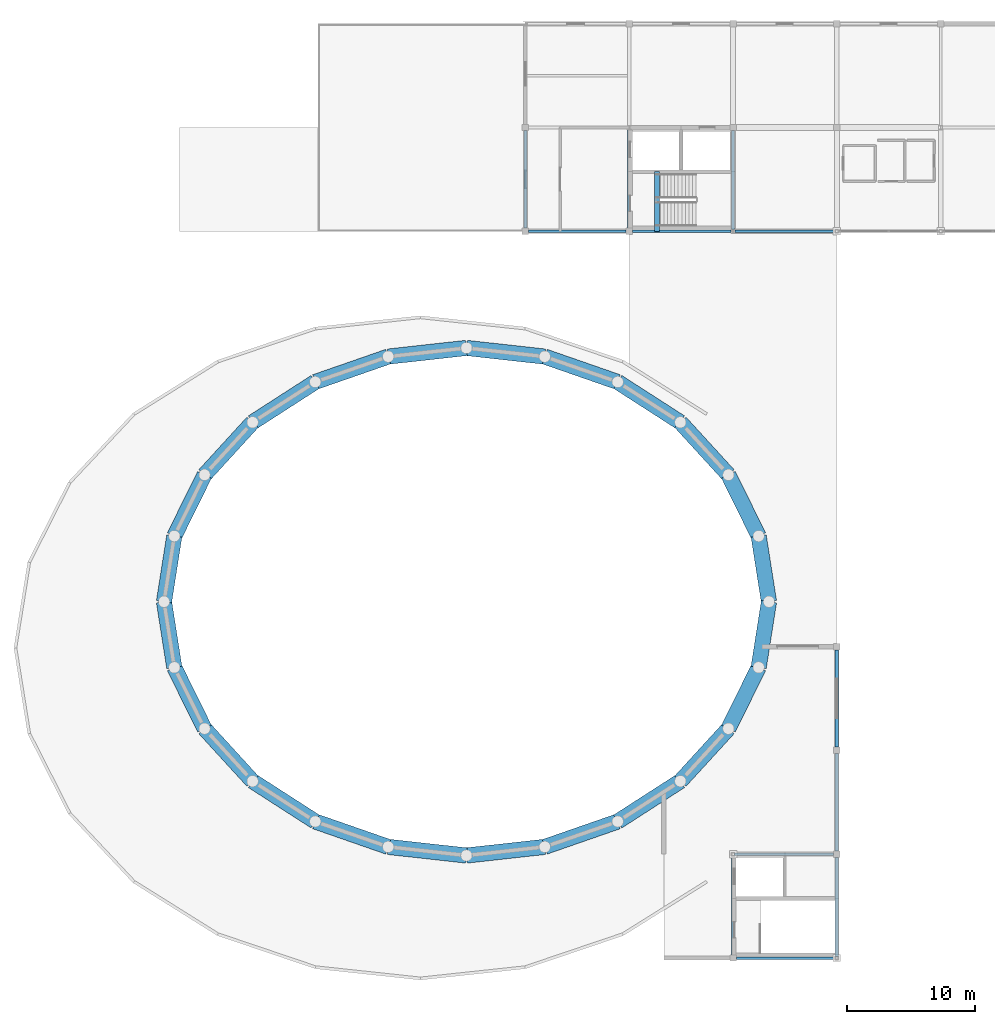
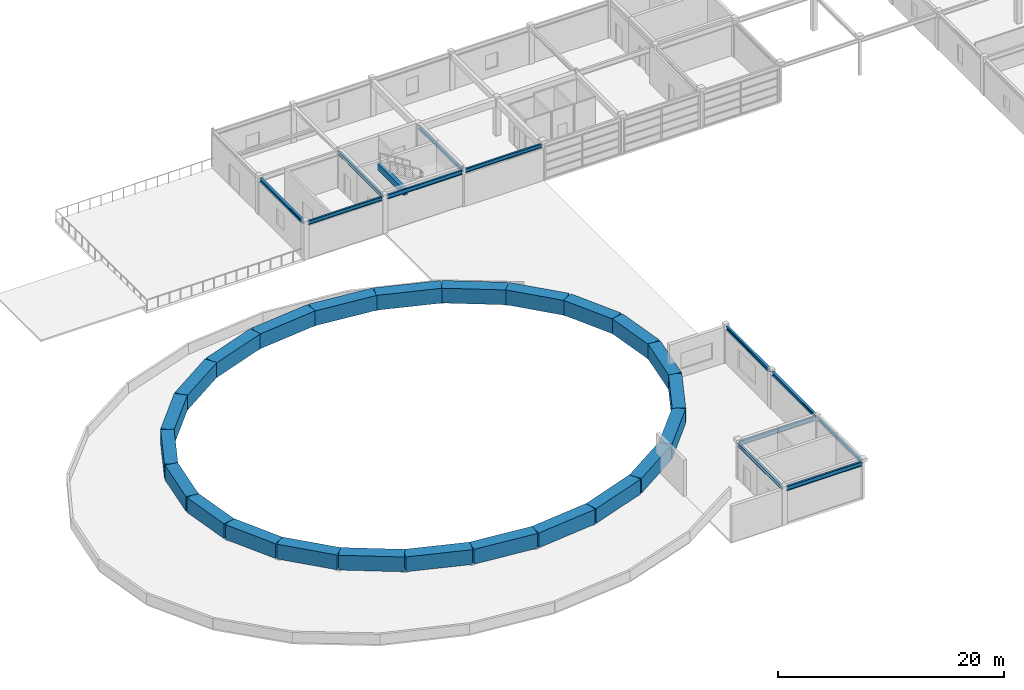
# One storey, part 10 of 26: 37 beams.
"""IFC4 building model written with IfcOpenShell, lengths in metres."""

from ifc_helpers import new_model, si_unit, direction, frame, origin, origin_2d, place, context, subcontext, project, spatial, rectangle, i_section, extrude, material, material_profile, profile_set, type_object, element, save


model = new_model("IFC4")

# Units and contexts
model_context = context("Model", 3, precision=1e-05, world=origin(), true_north=direction((0.0, 1.0)))
body_context = subcontext(model_context, "Body", "Model", "MODEL_VIEW")
ifc_project = project(units=[si_unit("LENGTHUNIT", "METRE"), si_unit("AREAUNIT", "SQUARE_METRE"), si_unit("VOLUMEUNIT", "CUBIC_METRE"), si_unit("PLANEANGLEUNIT", "RADIAN"), si_unit("MASSUNIT", "GRAM", prefix="KILO")], contexts=[model_context])

# Site, building, storey
site_placement = place(None, origin())
site = spatial("IfcSite", under=ifc_project, at=site_placement, CompositionType="ELEMENT")
building_placement = place(site_placement, origin())
building = spatial("IfcBuilding", under=site, at=building_placement, Name="Parian Resonance Hall", CompositionType="ELEMENT")
storey_placement = place(building_placement, frame((0.0, 0.0, 19.199951171875)))
storey = spatial("IfcBuildingStorey", under=building, at=storey_placement, Name="L04", CompositionType="ELEMENT", Elevation=19.199951171875)

# Beams
ifc_material_1 = material(Name="Concrete C40/50", Category="concrete")
ifc_material_profile_1 = material_profile(ifc_material_1, rectangle(XDim=0.39990234375, YDim=0.699951171875, at=origin_2d()), Name="RC-BM-400x700")
ifc_profile_set_1 = profile_set([ifc_material_profile_1], Name="Concrete C40/50")
beam_type_1 = type_object("IfcBeamType", Name="BM-RC400x700", PredefinedType="BEAM", material=ifc_profile_set_1)
beam_1_placement = place(storey_placement, frame((58.860107421875, 72.89990234375, 3.610107421875), z_axis=(0.0, 1.0, 0.0), x_axis=(-1.0, 0.0, 0.0)))
element("IfcBeam", 1, at=beam_1_placement, inside=storey, type_object=beam_type_1, Name="Core K1 stair arrival trimmer beam L04", PredefinedType="BEAM", context=body_context, shape_type="SweptSolid", body=[
    extrude(rectangle(XDim=0.39990234375, YDim=0.699951171875, at=origin_2d()), origin(), (0.0, 0.0, 1.0), 4.650146484375),
])
ifc_material_2 = material(Name="Concrete C40/50", Category="concrete")
ifc_material_profile_2 = material_profile(ifc_material_2, rectangle(XDim=1.199951171875, YDim=1.60009765625, at=origin_2d()), Name="RC-DRUM-1200x1600")
ifc_profile_set_2 = profile_set([ifc_material_profile_2], Name="Concrete C40/50")
beam_type_2 = type_object("IfcBeamType", Name="BM-RCDRUM1200x1600", PredefinedType="SPANDREL", material=ifc_profile_set_2)
beam_2_placement = place(storey_placement, frame((67.60009765625, 44.0, 1.0), z_axis=(-0.155034419883, 0.98790906902, 0.0), x_axis=(-0.98790906902, -0.155034419883, 0.0)))
element("IfcBeam", 2, at=beam_2_placement, inside=storey, type_object=beam_type_2, Name="Drum tension-compression ring beam segment 01", PredefinedType="SPANDREL", context=body_context, shape_type="SweptSolid", body=[
    extrude(rectangle(XDim=1.199951171875, YDim=1.60009765625, at=origin_2d()), origin(), (0.0, 0.0, 1.0), 5.187255859375),
])
beam_3_placement = place(storey_placement, frame((66.7958984375, 49.12451171875, 1.0), z_axis=(-0.442697046574, 0.896671246865, 0.0), x_axis=(-0.896671246865, -0.442697046574, 0.0)))
element("IfcBeam", 3, at=beam_3_placement, inside=storey, type_object=beam_type_2, Name="Drum tension-compression ring beam segment 02", PredefinedType="SPANDREL", context=body_context, shape_type="SweptSolid", body=[
    extrude(rectangle(XDim=1.199951171875, YDim=1.60009765625, at=origin_2d()), origin(), (0.0, 0.0, 1.0), 5.32568359375),
])
beam_4_placement = place(storey_placement, frame((64.438232421875, 53.89990234375, 1.0), z_axis=(-0.674882684077, 0.737925038695, 0.0), x_axis=(-0.737925038695, -0.674882684077, 0.0)))
element("IfcBeam", 4, at=beam_4_placement, inside=storey, type_object=beam_type_2, Name="Drum tension-compression ring beam segment 03", PredefinedType="SPANDREL", context=body_context, shape_type="SweptSolid", body=[
    extrude(rectangle(XDim=1.199951171875, YDim=1.60009765625, at=origin_2d()), origin(), (0.0, 0.0, 1.0), 5.55712890625),
])
beam_5_placement = place(storey_placement, frame((60.687744140625, 58.000732421875, 1.0), z_axis=(-0.840834423093, 0.541292409832, 0.0), x_axis=(-0.541292409832, -0.840834423093, 0.0)))
element("IfcBeam", 5, at=beam_5_placement, inside=storey, type_object=beam_type_2, Name="Drum tension-compression ring beam segment 04", PredefinedType="SPANDREL", context=body_context, shape_type="SweptSolid", body=[
    extrude(rectangle(XDim=1.199951171875, YDim=1.60009765625, at=origin_2d()), origin(), (0.0, 0.0, 1.0), 5.81298828125),
])
beam_6_placement = place(storey_placement, frame((55.800048828125, 61.147216796875, 1.0), z_axis=(-0.944587494416, 0.328259752928, 0.0), x_axis=(-0.328259752928, -0.944587494416, 0.0)))
element("IfcBeam", 6, at=beam_6_placement, inside=storey, type_object=beam_type_2, Name="Drum tension-compression ring beam segment 05", PredefinedType="SPANDREL", context=body_context, shape_type="SweptSolid", body=[
    extrude(rectangle(XDim=1.199951171875, YDim=1.60009765625, at=origin_2d()), origin(), (0.0, 0.0, 1.0), 6.02587890625),
])
for number, where, z_axis, x_axis, name in (
    (7, (50.108154296875, 63.125244140625, 1.0), (-0.993952820696, 0.109807969799, 0.0), (-0.109807969799, -0.993952820696, 0.0), "Drum tension-compression ring beam segment 06"),
    (8, (44.0, 63.800048828125, 1.0), (-0.993952820696, -0.109807969799, 0.0), (0.109807969799, -0.993952820696, 0.0), "Drum tension-compression ring beam segment 07"),
):
    element("IfcBeam", number, at=place(storey_placement, frame(where, z_axis=z_axis, x_axis=x_axis)), inside=storey, type_object=beam_type_2, Name=name, PredefinedType="SPANDREL", context=body_context, shape_type="SweptSolid", body=[
        extrude(rectangle(XDim=1.199951171875, YDim=1.60009765625, at=origin_2d()), origin(), (0.0, 0.0, 1.0), 6.145263671875),
    ])
beam_7_placement = place(storey_placement, frame((37.891845703125, 63.125244140625, 1.0), z_axis=(-0.944587494416, -0.328259752928, 0.0), x_axis=(0.328259752928, -0.944587494416, 0.0)))
element("IfcBeam", 9, at=beam_7_placement, inside=storey, type_object=beam_type_2, Name="Drum tension-compression ring beam segment 08", PredefinedType="SPANDREL", context=body_context, shape_type="SweptSolid", body=[
    extrude(rectangle(XDim=1.199951171875, YDim=1.60009765625, at=origin_2d()), origin(), (0.0, 0.0, 1.0), 6.02587890625),
])
beam_8_placement = place(storey_placement, frame((32.199951171875, 61.147216796875, 1.0), z_axis=(-0.840834423093, -0.541292409832, 0.0), x_axis=(0.541292409832, -0.840834423093, 0.0)))
element("IfcBeam", 10, at=beam_8_placement, inside=storey, type_object=beam_type_2, Name="Drum tension-compression ring beam segment 09", PredefinedType="SPANDREL", context=body_context, shape_type="SweptSolid", body=[
    extrude(rectangle(XDim=1.199951171875, YDim=1.60009765625, at=origin_2d()), origin(), (0.0, 0.0, 1.0), 5.81298828125),
])
beam_9_placement = place(storey_placement, frame((27.312255859375, 58.000732421875, 1.0), z_axis=(-0.674882684077, -0.737925038695, 0.0), x_axis=(0.737925038695, -0.674882684077, 0.0)))
element("IfcBeam", 11, at=beam_9_placement, inside=storey, type_object=beam_type_2, Name="Drum tension-compression ring beam segment 10", PredefinedType="SPANDREL", context=body_context, shape_type="SweptSolid", body=[
    extrude(rectangle(XDim=1.199951171875, YDim=1.60009765625, at=origin_2d()), origin(), (0.0, 0.0, 1.0), 5.55712890625),
])
beam_10_placement = place(storey_placement, frame((23.561767578125, 53.89990234375, 1.0), z_axis=(-0.442697046574, -0.896671246865, 0.0), x_axis=(0.896671246865, -0.442697046574, 0.0)))
element("IfcBeam", 12, at=beam_10_placement, inside=storey, type_object=beam_type_2, Name="Drum tension-compression ring beam segment 11", PredefinedType="SPANDREL", context=body_context, shape_type="SweptSolid", body=[
    extrude(rectangle(XDim=1.199951171875, YDim=1.60009765625, at=origin_2d()), origin(), (0.0, 0.0, 1.0), 5.32568359375),
])
for number, where, z_axis, x_axis, name in (
    (13, (21.2041015625, 49.12451171875, 1.0), (-0.155034419883, -0.98790906902, 0.0), (0.98790906902, -0.155034419883, 0.0), "Drum tension-compression ring beam segment 12"),
    (14, (20.39990234375, 44.0, 1.0), (0.155034419883, -0.98790906902, 0.0), (0.98790906902, 0.155034419883, 0.0), "Drum tension-compression ring beam segment 13"),
):
    element("IfcBeam", number, at=place(storey_placement, frame(where, z_axis=z_axis, x_axis=x_axis)), inside=storey, type_object=beam_type_2, Name=name, PredefinedType="SPANDREL", context=body_context, shape_type="SweptSolid", body=[
        extrude(rectangle(XDim=1.199951171875, YDim=1.60009765625, at=origin_2d()), origin(), (0.0, 0.0, 1.0), 5.187255859375),
    ])
beam_11_placement = place(storey_placement, frame((21.2041015625, 38.87548828125, 1.0), z_axis=(0.442697046574, -0.896671246865, 0.0), x_axis=(0.896671246865, 0.442697046574, 0.0)))
element("IfcBeam", 15, at=beam_11_placement, inside=storey, type_object=beam_type_2, Name="Drum tension-compression ring beam segment 14", PredefinedType="SPANDREL", context=body_context, shape_type="SweptSolid", body=[
    extrude(rectangle(XDim=1.199951171875, YDim=1.60009765625, at=origin_2d()), origin(), (0.0, 0.0, 1.0), 5.32568359375),
])
beam_12_placement = place(storey_placement, frame((23.561767578125, 34.10009765625, 1.0), z_axis=(0.674882684077, -0.737925038695, 0.0), x_axis=(0.737925038695, 0.674882684077, 0.0)))
element("IfcBeam", 16, at=beam_12_placement, inside=storey, type_object=beam_type_2, Name="Drum tension-compression ring beam segment 15", PredefinedType="SPANDREL", context=body_context, shape_type="SweptSolid", body=[
    extrude(rectangle(XDim=1.199951171875, YDim=1.60009765625, at=origin_2d()), origin(), (0.0, 0.0, 1.0), 5.55712890625),
])
beam_13_placement = place(storey_placement, frame((27.312255859375, 29.999267578125, 1.0), z_axis=(0.840834423093, -0.541292409832, 0.0), x_axis=(0.541292409832, 0.840834423093, 0.0)))
element("IfcBeam", 17, at=beam_13_placement, inside=storey, type_object=beam_type_2, Name="Drum tension-compression ring beam segment 16", PredefinedType="SPANDREL", context=body_context, shape_type="SweptSolid", body=[
    extrude(rectangle(XDim=1.199951171875, YDim=1.60009765625, at=origin_2d()), origin(), (0.0, 0.0, 1.0), 5.81298828125),
])
beam_14_placement = place(storey_placement, frame((32.199951171875, 26.852783203125, 1.0), z_axis=(0.944587494416, -0.328259752928, 0.0), x_axis=(0.328259752928, 0.944587494416, 0.0)))
element("IfcBeam", 18, at=beam_14_placement, inside=storey, type_object=beam_type_2, Name="Drum tension-compression ring beam segment 17", PredefinedType="SPANDREL", context=body_context, shape_type="SweptSolid", body=[
    extrude(rectangle(XDim=1.199951171875, YDim=1.60009765625, at=origin_2d()), origin(), (0.0, 0.0, 1.0), 6.02587890625),
])
for number, where, z_axis, x_axis, name in (
    (19, (37.891845703125, 24.874755859375, 1.0), (0.993952820696, -0.109807969799, 0.0), (0.109807969799, 0.993952820696, 0.0), "Drum tension-compression ring beam segment 18"),
    (20, (44.0, 24.199951171875, 1.0), (0.993952820696, 0.109807969799, 0.0), (-0.109807969799, 0.993952820696, 0.0), "Drum tension-compression ring beam segment 19"),
):
    element("IfcBeam", number, at=place(storey_placement, frame(where, z_axis=z_axis, x_axis=x_axis)), inside=storey, type_object=beam_type_2, Name=name, PredefinedType="SPANDREL", context=body_context, shape_type="SweptSolid", body=[
        extrude(rectangle(XDim=1.199951171875, YDim=1.60009765625, at=origin_2d()), origin(), (0.0, 0.0, 1.0), 6.145263671875),
    ])
beam_15_placement = place(storey_placement, frame((50.108154296875, 24.874755859375, 1.0), z_axis=(0.944587494416, 0.328259752928, 0.0), x_axis=(-0.328259752928, 0.944587494416, 0.0)))
element("IfcBeam", 21, at=beam_15_placement, inside=storey, type_object=beam_type_2, Name="Drum tension-compression ring beam segment 20", PredefinedType="SPANDREL", context=body_context, shape_type="SweptSolid", body=[
    extrude(rectangle(XDim=1.199951171875, YDim=1.60009765625, at=origin_2d()), origin(), (0.0, 0.0, 1.0), 6.02587890625),
])
beam_16_placement = place(storey_placement, frame((55.800048828125, 26.852783203125, 1.0), z_axis=(0.840834423093, 0.541292409832, 0.0), x_axis=(-0.541292409832, 0.840834423093, 0.0)))
element("IfcBeam", 22, at=beam_16_placement, inside=storey, type_object=beam_type_2, Name="Drum tension-compression ring beam segment 21", PredefinedType="SPANDREL", context=body_context, shape_type="SweptSolid", body=[
    extrude(rectangle(XDim=1.199951171875, YDim=1.60009765625, at=origin_2d()), origin(), (0.0, 0.0, 1.0), 5.81298828125),
])
beam_17_placement = place(storey_placement, frame((60.687744140625, 29.999267578125, 1.0), z_axis=(0.674882684077, 0.737925038695, 0.0), x_axis=(-0.737925038695, 0.674882684077, 0.0)))
element("IfcBeam", 23, at=beam_17_placement, inside=storey, type_object=beam_type_2, Name="Drum tension-compression ring beam segment 22", PredefinedType="SPANDREL", context=body_context, shape_type="SweptSolid", body=[
    extrude(rectangle(XDim=1.199951171875, YDim=1.60009765625, at=origin_2d()), origin(), (0.0, 0.0, 1.0), 5.55712890625),
])
beam_18_placement = place(storey_placement, frame((64.438232421875, 34.10009765625, 1.0), z_axis=(0.442697046574, 0.896671246865, 0.0), x_axis=(-0.896671246865, 0.442697046574, 0.0)))
element("IfcBeam", 24, at=beam_18_placement, inside=storey, type_object=beam_type_2, Name="Drum tension-compression ring beam segment 23", PredefinedType="SPANDREL", context=body_context, shape_type="SweptSolid", body=[
    extrude(rectangle(XDim=1.199951171875, YDim=1.60009765625, at=origin_2d()), origin(), (0.0, 0.0, 1.0), 5.32568359375),
])
beam_19_placement = place(storey_placement, frame((66.7958984375, 38.87548828125, 1.0), z_axis=(0.155034419883, 0.98790906902, 0.0), x_axis=(-0.98790906902, 0.155034419883, 0.0)))
element("IfcBeam", 25, at=beam_19_placement, inside=storey, type_object=beam_type_2, Name="Drum tension-compression ring beam segment 24", PredefinedType="SPANDREL", context=body_context, shape_type="SweptSolid", body=[
    extrude(rectangle(XDim=1.199951171875, YDim=1.60009765625, at=origin_2d()), origin(), (0.0, 0.0, 1.0), 5.187255859375),
])
ifc_material_3 = material(Name="Steel S355", Category="steel")
ifc_material_profile_3 = material_profile(ifc_material_3, i_section(OverallWidth=0.2548828125, OverallDepth=0.35693359375, WebThickness=0.010498046875, FlangeThickness=0.018310546875, FilletRadius=0.01513671875, at=origin_2d()), Name="W360x101")
ifc_profile_set_3 = profile_set([ifc_material_profile_3], Name="Steel S355")
beam_type_3 = type_object("IfcBeamType", Name="BM-W360x101", PredefinedType="SPANDREL", material=ifc_profile_set_3)
beam_20_placement = place(storey_placement, frame((48.60009765625, 73.14990234375, 3.781494140625), z_axis=(0.0, 1.0, 0.0), x_axis=(-1.0, 0.0, 0.0)))
element("IfcBeam", 26, at=beam_20_placement, inside=storey, type_object=beam_type_3, Name="GY-L04-0968", PredefinedType="SPANDREL", context=body_context, shape_type="SweptSolid", body=[
    extrude(i_section(OverallWidth=0.2548828125, OverallDepth=0.35693359375, WebThickness=0.010498046875, FlangeThickness=0.018310546875, FilletRadius=0.01513671875, at=origin_2d()), origin(), (0.0, 0.0, 1.0), 7.60009765625),
])
beam_21_placement = place(storey_placement, frame((56.699951171875, 73.14990234375, 3.781494140625), z_axis=(0.0, 1.0, 0.0), x_axis=(-1.0, 0.0, 0.0)))
element("IfcBeam", 27, at=beam_21_placement, inside=storey, type_object=beam_type_3, Name="GY-L04-0970", PredefinedType="SPANDREL", context=body_context, shape_type="SweptSolid", body=[
    extrude(i_section(OverallWidth=0.2548828125, OverallDepth=0.35693359375, WebThickness=0.010498046875, FlangeThickness=0.018310546875, FilletRadius=0.01513671875, at=origin_2d()), origin(), (0.0, 0.0, 1.0), 7.696044921875),
])
beam_22_placement = place(storey_placement, frame((64.800048828125, 16.449951171875, 3.8115234375), z_axis=(0.0, 1.0, 0.0), x_axis=(-1.0, 0.0, 0.0)))
element("IfcBeam", 28, at=beam_22_placement, inside=storey, type_object=beam_type_3, Name="GY-L04-0972", PredefinedType="SPANDREL", context=body_context, shape_type="SweptSolid", body=[
    extrude(i_section(OverallWidth=0.2548828125, OverallDepth=0.35693359375, WebThickness=0.010498046875, FlangeThickness=0.018310546875, FilletRadius=0.01513671875, at=origin_2d()), origin(), (0.0, 0.0, 1.0), 7.72509765625),
])
beam_23_placement = place(storey_placement, frame((64.800048828125, 73.053955078125, 3.781494140625), z_axis=(0.0, 1.0, 0.0), x_axis=(-1.0, 0.0, 0.0)))
element("IfcBeam", 29, at=beam_23_placement, inside=storey, type_object=beam_type_3, Name="GY-L04-0973", PredefinedType="SPANDREL", context=body_context, shape_type="SweptSolid", body=[
    extrude(i_section(OverallWidth=0.2548828125, OverallDepth=0.35693359375, WebThickness=0.010498046875, FlangeThickness=0.018310546875, FilletRadius=0.01513671875, at=origin_2d()), origin(), (0.0, 0.0, 1.0), 7.696044921875),
])
beam_24_placement = place(storey_placement, frame((72.89990234375, 16.324951171875, 3.8115234375), z_axis=(0.0, 1.0, 0.0), x_axis=(-1.0, 0.0, 0.0)))
element("IfcBeam", 30, at=beam_24_placement, inside=storey, type_object=beam_type_3, Name="GY-L04-0975", PredefinedType="SPANDREL", context=body_context, shape_type="SweptSolid", body=[
    extrude(i_section(OverallWidth=0.2548828125, OverallDepth=0.35693359375, WebThickness=0.010498046875, FlangeThickness=0.018310546875, FilletRadius=0.01513671875, at=origin_2d()), origin(), (0.0, 0.0, 1.0), 7.72509765625),
])
beam_25_placement = place(storey_placement, frame((72.89990234375, 24.550048828125, 3.8115234375), z_axis=(0.0, 1.0, 0.0), x_axis=(-1.0, 0.0, 0.0)))
element("IfcBeam", 31, at=beam_25_placement, inside=storey, type_object=beam_type_3, Name="GY-L04-0976", PredefinedType="SPANDREL", context=body_context, shape_type="SweptSolid", body=[
    extrude(i_section(OverallWidth=0.2548828125, OverallDepth=0.35693359375, WebThickness=0.010498046875, FlangeThickness=0.018310546875, FilletRadius=0.01513671875, at=origin_2d()), origin(), (0.0, 0.0, 1.0), 7.599853515625),
])
beam_26_placement = place(storey_placement, frame((72.89990234375, 32.64990234375, 3.8115234375), z_axis=(0.0, 1.0, 0.0), x_axis=(-1.0, 0.0, 0.0)))
element("IfcBeam", 32, at=beam_26_placement, inside=storey, type_object=beam_type_3, Name="GY-L04-0977", PredefinedType="SPANDREL", context=body_context, shape_type="SweptSolid", body=[
    extrude(i_section(OverallWidth=0.2548828125, OverallDepth=0.35693359375, WebThickness=0.010498046875, FlangeThickness=0.018310546875, FilletRadius=0.01513671875, at=origin_2d()), origin(), (0.0, 0.0, 1.0), 7.60009765625),
])
ifc_material_4 = material(Name="Steel S355", Category="steel")
ifc_material_profile_4 = material_profile(ifc_material_4, i_section(OverallWidth=0.180908203125, OverallDepth=0.4169921875, WebThickness=0.010986328125, FlangeThickness=0.018310546875, FilletRadius=0.01513671875, at=origin_2d()), Name="W410x85")
ifc_profile_set_4 = profile_set([ifc_material_profile_4], Name="Steel S355")
beam_type_4 = type_object("IfcBeamType", Name="BM-W410x85", PredefinedType="SPANDREL", material=ifc_profile_set_4)
beam_27_placement = place(storey_placement, frame((48.85009765625, 72.89990234375, 3.75146484375), z_axis=(1.0, 0.0, 0.0), x_axis=(0.0, 1.0, 0.0)))
element("IfcBeam", 33, at=beam_27_placement, inside=storey, type_object=beam_type_4, Name="GX-L04-0918", PredefinedType="SPANDREL", context=body_context, shape_type="SweptSolid", body=[
    extrude(i_section(OverallWidth=0.180908203125, OverallDepth=0.4169921875, WebThickness=0.010986328125, FlangeThickness=0.018310546875, FilletRadius=0.01513671875, at=origin_2d()), origin(), (0.0, 0.0, 1.0), 7.599853515625),
])
beam_28_placement = place(storey_placement, frame((64.952392578125, 72.89990234375, 3.75146484375), z_axis=(1.0, 0.0, 0.0), x_axis=(0.0, 1.0, 0.0)))
element("IfcBeam", 34, at=beam_28_placement, inside=storey, type_object=beam_type_4, Name="GX-L04-0926", PredefinedType="SPANDREL", context=body_context, shape_type="SweptSolid", body=[
    extrude(i_section(OverallWidth=0.180908203125, OverallDepth=0.4169921875, WebThickness=0.010986328125, FlangeThickness=0.018310546875, FilletRadius=0.01513671875, at=origin_2d()), origin(), (0.0, 0.0, 1.0), 7.822509765625),
])
ifc_material_5 = material(Name="Steel S355", Category="steel")
ifc_material_profile_5 = material_profile(ifc_material_5, i_section(OverallWidth=0.194091796875, OverallDepth=0.468994140625, WebThickness=0.0126953125, FlangeThickness=0.0205078125, FilletRadius=0.01513671875, at=origin_2d()), Name="W460x106")
ifc_profile_set_5 = profile_set([ifc_material_profile_5], Name="Steel S355")
beam_type_5 = type_object("IfcBeamType", Name="BM-W460x106", PredefinedType="SPANDREL", material=ifc_profile_set_5)
beam_29_placement = place(storey_placement, frame((56.949951171875, 72.89990234375, 3.7255859375), z_axis=(1.0, 0.0, 0.0), x_axis=(0.0, 1.0, 0.0)))
element("IfcBeam", 35, at=beam_29_placement, inside=storey, type_object=beam_type_5, Name="GX-L04-0921", PredefinedType="SPANDREL", context=body_context, shape_type="SweptSolid", body=[
    extrude(i_section(OverallWidth=0.194091796875, OverallDepth=0.468994140625, WebThickness=0.0126953125, FlangeThickness=0.0205078125, FilletRadius=0.01513671875, at=origin_2d()), origin(), (0.0, 0.0, 1.0), 7.697509765625),
])
beam_30_placement = place(storey_placement, frame((65.050048828125, 16.199951171875, 3.755615234375), z_axis=(1.0, 0.0, 0.0), x_axis=(0.0, 1.0, 0.0)))
element("IfcBeam", 36, at=beam_30_placement, inside=storey, type_object=beam_type_5, Name="GX-L04-0924", PredefinedType="SPANDREL", context=body_context, shape_type="SweptSolid", body=[
    extrude(i_section(OverallWidth=0.194091796875, OverallDepth=0.468994140625, WebThickness=0.0126953125, FlangeThickness=0.0205078125, FilletRadius=0.01513671875, at=origin_2d()), origin(), (0.0, 0.0, 1.0), 7.724853515625),
])
ifc_material_6 = material(Name="Steel S355", Category="steel")
ifc_material_profile_6 = material_profile(ifc_material_6, i_section(OverallWidth=0.19091796875, OverallDepth=0.4599609375, WebThickness=0.010009765625, FlangeThickness=0.01611328125, FilletRadius=0.01513671875, at=origin_2d()), Name="W460x82")
ifc_profile_set_6 = profile_set([ifc_material_profile_6], Name="Steel S355")
beam_type_6 = type_object("IfcBeamType", Name="BM-W460x82", PredefinedType="BEAM", material=ifc_profile_set_6)
beam_31_placement = place(storey_placement, frame((64.925048828125, 24.300048828125, 3.760009765625), z_axis=(1.0, 0.0, 0.0), x_axis=(0.0, 1.0, 0.0)))
element("IfcBeam", 37, at=beam_31_placement, inside=storey, type_object=beam_type_6, Name="GX-L04-0925", PredefinedType="BEAM", context=body_context, shape_type="SweptSolid", body=[
    extrude(i_section(OverallWidth=0.19091796875, OverallDepth=0.4599609375, WebThickness=0.010009765625, FlangeThickness=0.01611328125, FilletRadius=0.01513671875, at=origin_2d()), origin(), (0.0, 0.0, 1.0), 7.724853515625),
])

save(model, "model.ifc")
